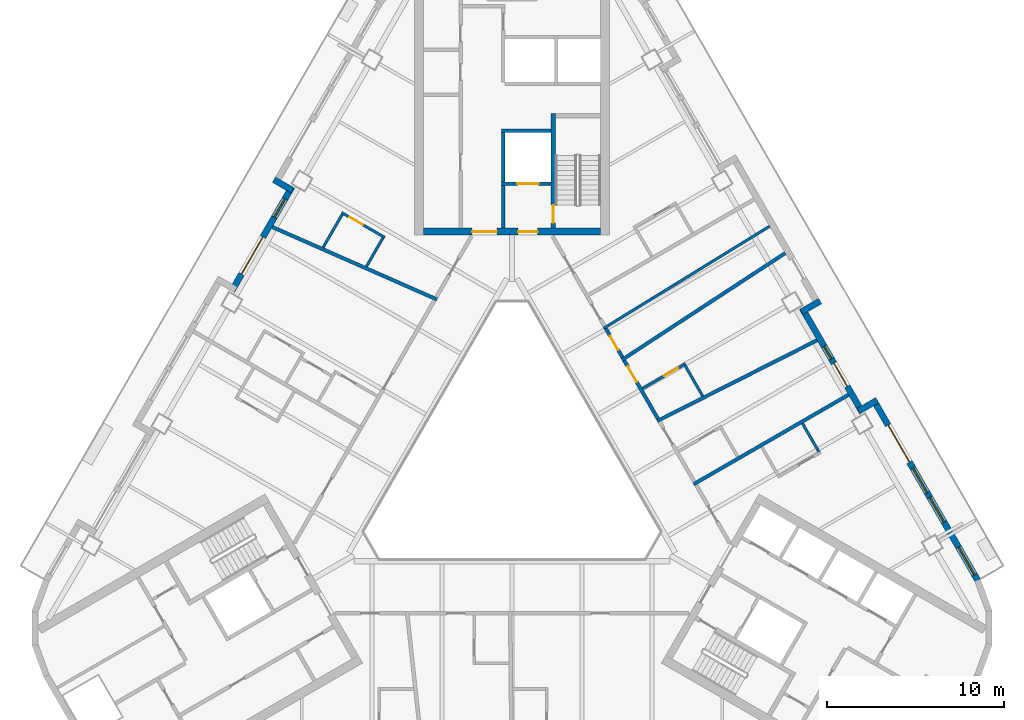
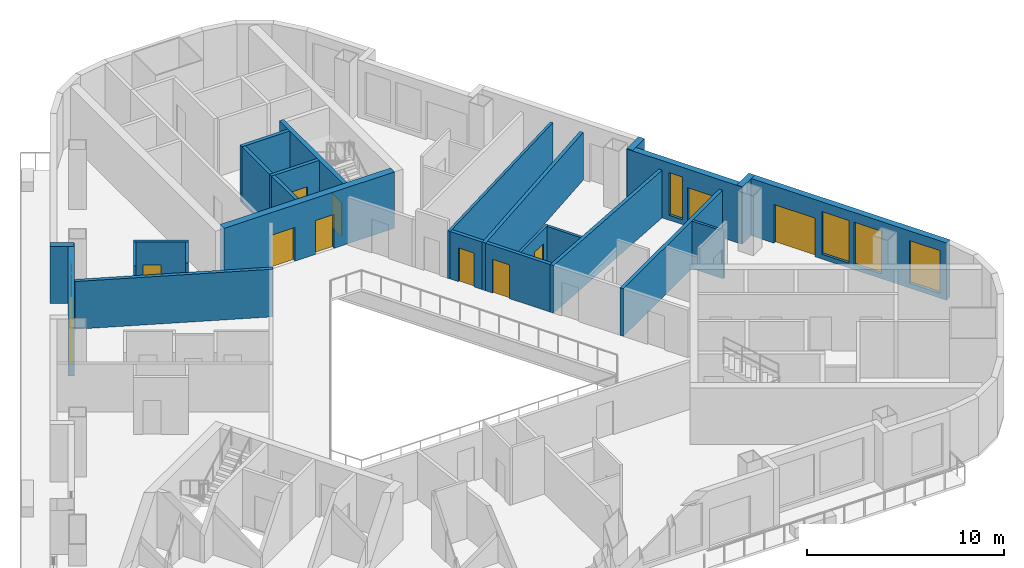
# One storey, part 6 of 14: 25 walls, 11 doors, 5 windows, 16 openings.
"""IFC4 building model written with IfcOpenShell, lengths in metres."""

from ifc_helpers import new_model, si_unit, direction, frame, frame_2d, origin, place, context, subcontext, project, spatial, rectangle, extrude, material, layer, layer_set, type_object, element, fill, save


model = new_model("IFC4")

# Units and contexts
model_context = context("Model", 3, precision=1e-05, world=origin(), true_north=direction((0.0, 1.0)))
body_context = subcontext(model_context, "Body", "Model", "MODEL_VIEW")
ifc_project = project(units=[si_unit("LENGTHUNIT", "METRE"), si_unit("AREAUNIT", "SQUARE_METRE"), si_unit("VOLUMEUNIT", "CUBIC_METRE"), si_unit("PLANEANGLEUNIT", "RADIAN"), si_unit("MASSUNIT", "GRAM", prefix="KILO")], contexts=[model_context])

# Site, building, storey
site_placement = place(None, origin())
site = spatial("IfcSite", under=ifc_project, at=site_placement, CompositionType="ELEMENT")
building_placement = place(site_placement, origin())
building = spatial("IfcBuilding", under=site, at=building_placement, Name="Apuvela Tower Hotel", CompositionType="ELEMENT")
storey_placement = place(building_placement, frame((0.0, 0.0, 116.800048828125)))
storey = spatial("IfcBuildingStorey", under=building, at=storey_placement, Name="L27", CompositionType="ELEMENT", Elevation=116.800048828125)

# Wall, openings, doors
ifc_material_1 = material(Name="Concrete C50/60", Category="concrete")
ifc_layer_1 = layer(ifc_material_1, 0.39990234375)
ifc_layer_set_1 = layer_set([ifc_layer_1], Name="COR-WALL-CORE-400")
wall_type_1 = type_object("IfcWallType", Name="COR-WALL-CORE-400", PredefinedType="SHEAR", material=ifc_layer_set_1)
wall_1_placement = place(storey_placement, frame((5.0, 13.10009765625, 0.0), z_axis=(0.0, 0.0, 1.0), x_axis=(-1.0, 0.0, 0.0)))
wall_1 = element("IfcWall", 1, at=wall_1_placement, inside=storey, type_object=wall_type_1, Name="Core wall N", PredefinedType="SHEAR", context=body_context, shape_type="SweptSolid", body=[
    extrude(rectangle(XDim=10.0, YDim=0.39990234375, at=frame_2d((5.0, 0.0))), origin(), (0.0, 0.0, 1.0), 3.5),
])
opening_1_placement = place(wall_1_placement, frame((3.550048828125, 0.0, 0.0)))
opening_1 = element("IfcOpeningElement", 2, at=opening_1_placement, cuts=wall_1, Name="Opening N-FD", PredefinedType="OPENING", context=body_context, shape_type="SweptSolid", body=[
    extrude(rectangle(XDim=1.10009765625, YDim=2.10009765625, at=frame_2d((0.550048828125, 1.050048828125))), frame((0.0, 0.2099609375, 0.0), z_axis=(0.0, -1.0, 0.0), x_axis=(1.0, 0.0, 0.0)), (0.0, 0.0, 1.0), 0.419921875),
])
opening_2_placement = place(wall_1_placement, frame((5.85009765625, 0.0, 0.0)))
opening_2 = element("IfcOpeningElement", 3, at=opening_2_placement, cuts=wall_1, Name="Opening N-GD", PredefinedType="OPENING", context=body_context, shape_type="SweptSolid", body=[
    extrude(rectangle(XDim=1.39990234375, YDim=2.10009765625, at=frame_2d((0.699951171875, 1.050048828125))), frame((0.0, 0.2099609375, 0.0), z_axis=(0.0, -1.0, 0.0), x_axis=(1.0, 0.0, 0.0)), (0.0, 0.0, 1.0), 0.419921875),
])
ifc_material_2 = material(Name="Steel fire door, powder coated", Category="steel")
door_type_1 = type_object("IfcDoorType", Name="COR-FD-1100", OperationType="NOTDEFINED", PredefinedType="DOOR", material=ifc_material_2)
door_1_placement = place(opening_1_placement, frame((1.10009765625, 0.0, 0.0), z_axis=(0.0, 0.0, 1.0), x_axis=(-1.0, 0.0, 0.0)))
door_1 = element("IfcDoor", 4, at=door_1_placement, inside=storey, type_object=door_type_1, Name="Firefighting lobby door N-FD", OperationType="SINGLE_SWING_LEFT", OverallHeight=2.10009765625, OverallWidth=1.10009765625, PredefinedType="DOOR", context=body_context, shape_type="SweptSolid", body=[
    extrude(rectangle(XDim=1.10009765625, YDim=2.10009765625, at=frame_2d((0.550048828125, 1.050048828125))), frame((0.0, 0.02490234375, 0.0), z_axis=(0.0, -1.0, 0.0), x_axis=(1.0, 0.0, 0.0)), (0.0, 0.0, 1.0), 0.050048828125),
])
fill(opening_1, door_1)
ifc_material_3 = material(Name="Glazed steel fire door", Category="steel")
door_type_2 = type_object("IfcDoorType", Name="COR-GD-1400", OperationType="DOUBLE_DOOR_SINGLE_SWING", PredefinedType="DOOR", material=ifc_material_3)
door_2_placement = place(opening_2_placement, frame((1.39990234375, 0.0, 0.0), z_axis=(0.0, 0.0, 1.0), x_axis=(-1.0, 0.0, 0.0)))
door_2 = element("IfcDoor", 5, at=door_2_placement, inside=storey, type_object=door_type_2, Name="Lift lobby door N-GD", OperationType="DOUBLE_DOOR_SINGLE_SWING", OverallHeight=2.10009765625, OverallWidth=1.39990234375, PredefinedType="DOOR", context=body_context, shape_type="SweptSolid", body=[
    extrude(rectangle(XDim=1.39990234375, YDim=2.10009765625, at=frame_2d((0.699951171875, 1.050048828125))), frame((0.0, 0.02490234375, 0.0), z_axis=(0.0, -1.0, 0.0), x_axis=(1.0, 0.0, 0.0)), (0.0, 0.0, 1.0), 0.050048828125),
])
fill(opening_2, door_2)

# Wall
ifc_layer_2 = layer(ifc_material_1, 0.199951171875)
ifc_layer_set_2 = layer_set([ifc_layer_2], Name="COR-WALL-SHAFT-200")
wall_type_2 = type_object("IfcWallType", Name="COR-WALL-SHAFT-200", PredefinedType="SHEAR", material=ifc_layer_set_2)
wall_2_placement = place(storey_placement, frame((2.199951171875, 18.800048828125, 0.0), z_axis=(0.0, 0.0, 1.0), x_axis=(-1.0, 0.0, 0.0)))
element("IfcWall", 6, at=wall_2_placement, inside=storey, type_object=wall_type_2, Name="Shaft wall N", PredefinedType="SHEAR", context=body_context, shape_type="SweptSolid", body=[
    extrude(rectangle(XDim=2.800048828125, YDim=0.199951171875, at=frame_2d((1.39990234375, 0.0))), origin(), (0.0, 0.0, 1.0), 3.5),
])

# Wall, opening, door
wall_3_placement = place(storey_placement, frame((2.199951171875, 15.800048828125, 0.0), z_axis=(0.0, 0.0, 1.0), x_axis=(-1.0, 0.0, 0.0)))
wall_3 = element("IfcWall", 7, at=wall_3_placement, inside=storey, type_object=wall_type_2, Name="Shaft wall N", PredefinedType="SHEAR", context=body_context, shape_type="SweptSolid", body=[
    extrude(rectangle(XDim=2.800048828125, YDim=0.199951171875, at=frame_2d((1.39990234375, 0.0))), origin(), (0.0, 0.0, 1.0), 3.5),
])
opening_3_placement = place(wall_3_placement, frame((0.699951171875, 0.0, 0.0)))
opening_3 = element("IfcOpeningElement", 8, at=opening_3_placement, cuts=wall_3, Name="Opening N-LD-FS1", PredefinedType="OPENING", context=body_context, shape_type="SweptSolid", body=[
    extrude(rectangle(XDim=1.199951171875, YDim=2.10009765625, at=frame_2d((0.60009765625, 1.050048828125))), frame((0.0, 0.10986328125, 0.0), z_axis=(0.0, -1.0, 0.0), x_axis=(1.0, 0.0, 0.0)), (0.0, 0.0, 1.0), 0.219970703125),
])
ifc_material_4 = material(Name="Stainless steel lift landing door", Category="steel")
door_type_3 = type_object("IfcDoorType", Name="COR-LD-1200", OperationType="DOUBLE_DOOR_SLIDING", PredefinedType="DOOR", material=ifc_material_4)
door_3_placement = place(opening_3_placement, origin())
door_3 = element("IfcDoor", 9, at=door_3_placement, inside=storey, type_object=door_type_3, Name="Lift landing door N-LD-FS1", OperationType="DOUBLE_DOOR_SLIDING", OverallHeight=2.10009765625, OverallWidth=1.199951171875, PredefinedType="DOOR", context=body_context, shape_type="SweptSolid", body=[
    extrude(rectangle(XDim=1.199951171875, YDim=2.10009765625, at=frame_2d((0.60009765625, 1.050048828125))), frame((0.0, 0.02490234375, 0.0), z_axis=(0.0, -1.0, 0.0), x_axis=(1.0, 0.0, 0.0)), (0.0, 0.0, 1.0), 0.050048828125),
])
fill(opening_3, door_3)

# Walls
wall_4_placement = place(storey_placement, frame((-0.5, 15.89990234375, 0.0), z_axis=(0.0, 0.0, 1.0), x_axis=(0.0, 1.0, 0.0)))
element("IfcWall", 10, at=wall_4_placement, inside=storey, type_object=wall_type_2, Name="Shaft wall N", PredefinedType="SHEAR", context=body_context, shape_type="SweptSolid", body=[
    extrude(rectangle(XDim=2.800048828125, YDim=0.199951171875, at=frame_2d((1.39990234375, 0.0))), origin(), (0.0, 0.0, 1.0), 3.5),
])
wall_5_placement = place(storey_placement, frame((-0.5, 13.300048828125, 0.0), z_axis=(0.0, 0.0, 1.0), x_axis=(0.0, 1.0, 0.0)))
element("IfcWall", 11, at=wall_5_placement, inside=storey, type_object=wall_type_2, Name="Shaft wall N", PredefinedType="SHEAR", context=body_context, shape_type="SweptSolid", body=[
    extrude(rectangle(XDim=2.39990234375, YDim=0.199951171875, at=frame_2d((1.199951171875, 0.0))), origin(), (0.0, 0.0, 1.0), 3.5),
])

# Wall, opening, door
ifc_layer_3 = layer(ifc_material_1, 0.25)
ifc_layer_set_3 = layer_set([ifc_layer_3], Name="COR-WALL-STAIR-250")
wall_type_3 = type_object("IfcWallType", Name="COR-WALL-STAIR-250", PredefinedType="SHEAR", material=ifc_layer_set_3)
wall_6_placement = place(storey_placement, frame((2.324951171875, 13.300048828125, 0.0), z_axis=(0.0, 0.0, 1.0), x_axis=(0.0, 1.0, 0.0)))
wall_6 = element("IfcWall", 12, at=wall_6_placement, inside=storey, type_object=wall_type_3, Name="Stair wall N", PredefinedType="SHEAR", context=body_context, shape_type="SweptSolid", body=[
    extrude(rectangle(XDim=6.449951171875, YDim=0.25, at=frame_2d((3.22509765625, 0.0))), origin(), (0.0, 0.0, 1.0), 3.5),
])
opening_4_placement = place(wall_6_placement, frame((0.300048828125, 0.0, 0.0)))
opening_4 = element("IfcOpeningElement", 13, at=opening_4_placement, cuts=wall_6, Name="Opening N-SD", PredefinedType="OPENING", context=body_context, shape_type="SweptSolid", body=[
    extrude(rectangle(XDim=1.0, YDim=2.10009765625, at=frame_2d((0.5, 1.050048828125))), frame((0.0, 0.135009765625, 0.0), z_axis=(0.0, -1.0, 0.0), x_axis=(1.0, 0.0, 0.0)), (0.0, 0.0, 1.0), 0.27001953125),
])
door_type_4 = type_object("IfcDoorType", Name="COR-SD-1000", OperationType="NOTDEFINED", PredefinedType="DOOR", material=ifc_material_2)
door_4_placement = place(opening_4_placement, frame((1.0, 0.0, 0.0), z_axis=(0.0, 0.0, 1.0), x_axis=(-1.0, 0.0, 0.0)))
door_4 = element("IfcDoor", 14, at=door_4_placement, inside=storey, type_object=door_type_4, Name="Stair door N-SD", OperationType="SINGLE_SWING_LEFT", OverallHeight=2.10009765625, OverallWidth=1.0, PredefinedType="DOOR", context=body_context, shape_type="SweptSolid", body=[
    extrude(rectangle(XDim=1.0, YDim=2.10009765625, at=frame_2d((0.5, 1.050048828125))), frame((0.0, 0.02490234375, 0.0), z_axis=(0.0, -1.0, 0.0), x_axis=(1.0, 0.0, 0.0)), (0.0, 0.0, 1.0), 0.050048828125),
])
fill(opening_4, door_4)

# Wall
ifc_material_5 = material(Name="Concrete C40/50, dark pigmented precast panel", Category="concrete")
ifc_layer_4 = layer(ifc_material_5, 0.35009765625)
ifc_layer_set_4 = layer_set([ifc_layer_4], Name="ENV-WALL-350")
wall_type_4 = type_object("IfcWallType", Name="ENV-WALL-350", PredefinedType="SOLIDWALL", material=ifc_layer_set_4)
wall_7_placement = place(storey_placement, frame((-13.41259765625, 16.02880859375, 0.0), z_axis=(0.0, 0.0, 1.0), x_axis=(0.866005645448, -0.500034220881, 0.0)))
element("IfcWall", 15, at=wall_7_placement, inside=storey, type_object=wall_type_4, Name="External wall L27-02", PredefinedType="SOLIDWALL", context=body_context, shape_type="SweptSolid", body=[
    extrude(rectangle(XDim=1.22021484375, YDim=0.35009765625, at=frame_2d((0.610107421875, 0.0))), origin(), (0.0, 0.0, 1.0), 3.550048828125),
])

# Wall, openings, door, window
wall_8_placement = place(storey_placement, frame((-12.408935546875, 15.616943359375, 0.0), z_axis=(0.0, 0.0, 1.0), x_axis=(-0.500003597184, -0.866023326939, 0.0)))
wall_8 = element("IfcWall", 16, at=wall_8_placement, inside=storey, type_object=wall_type_4, Name="External wall L27-03", PredefinedType="SOLIDWALL", context=body_context, shape_type="SweptSolid", body=[
    extrude(rectangle(XDim=6.740234375, YDim=0.35009765625, at=frame_2d((3.3701171875, 0.0))), origin(), (0.0, 0.0, 1.0), 3.550048828125),
])
opening_5_placement = place(wall_8_placement, frame((0.77001953125, 0.0, 0.300048828125)))
opening_5 = element("IfcOpeningElement", 17, at=opening_5_placement, cuts=wall_8, Name="Opening WN12", PredefinedType="OPENING", context=body_context, shape_type="SweptSolid", body=[
    extrude(rectangle(XDim=1.199951171875, YDim=2.64990234375, at=frame_2d((0.60009765625, 1.324951171875))), frame((0.0, 0.18505859375, 0.0), z_axis=(0.0, -1.0, 0.0), x_axis=(1.0, 0.0, 0.0)), (0.0, 0.0, 1.0), 0.3701171875),
])
opening_6_placement = place(wall_8_placement, frame((3.260498046875, 0.0, 0.0)))
opening_6 = element("IfcOpeningElement", 18, at=opening_6_placement, cuts=wall_8, Name="Opening BD24", PredefinedType="OPENING", context=body_context, shape_type="SweptSolid", body=[
    extrude(rectangle(XDim=2.39990234375, YDim=2.39990234375, at=frame_2d((1.199951171875, 1.199951171875))), frame((0.0, 0.18505859375, 0.0), z_axis=(0.0, -1.0, 0.0), x_axis=(1.0, 0.0, 0.0)), (0.0, 0.0, 1.0), 0.3701171875),
])
ifc_material_6 = material(Name="Aluminium 6063-T6, dark bronze anodised frame with dark tinted laminated glass", Category="aluminium")
door_type_5 = type_object("IfcDoorType", Name="ENV-DOOR-BALCONY-2400x2400", OperationType="SLIDING_TO_LEFT", PredefinedType="DOOR", material=ifc_material_6)
door_5_placement = place(opening_6_placement, frame((2.39990234375, 0.0, 0.0), z_axis=(0.0, 0.0, 1.0), x_axis=(-1.0, 0.0, 0.0)))
door_5 = element("IfcDoor", 19, at=door_5_placement, inside=storey, type_object=door_type_5, Name="Balcony door BD24", OperationType="SLIDING_TO_LEFT", OverallHeight=2.39990234375, OverallWidth=2.39990234375, PredefinedType="DOOR", context=body_context, shape_type="SweptSolid", body=[
    extrude(rectangle(XDim=2.39990234375, YDim=2.39990234375, at=frame_2d((1.199951171875, 1.199951171875))), frame((0.0, 0.02490234375, 0.0), z_axis=(0.0, -1.0, 0.0), x_axis=(1.0, 0.0, 0.0)), (0.0, 0.0, 1.0), 0.050048828125),
])
fill(opening_6, door_5)
ifc_material_7 = material(Name="Glass, dark tinted laminated insulated glazing unit", Category="glass")
window_type_1 = type_object("IfcWindowType", Name="ENV-WIN-1200x2650", PartitioningType="SINGLE_PANEL", PredefinedType="WINDOW", material=ifc_material_7)
window_1_placement = place(opening_5_placement, origin())
window_1 = element("IfcWindow", 20, at=window_1_placement, inside=storey, type_object=window_type_1, Name="Window WN12", OverallHeight=2.64990234375, OverallWidth=1.199951171875, PartitioningType="SINGLE_PANEL", PredefinedType="WINDOW", context=body_context, shape_type="SweptSolid", body=[
    extrude(rectangle(XDim=1.199951171875, YDim=2.64990234375, at=frame_2d((0.60009765625, 1.324951171875))), frame((0.0, 0.030029296875, 0.0), z_axis=(0.0, -1.0, 0.0), x_axis=(1.0, 0.0, 0.0)), (0.0, 0.0, 1.0), 0.06005859375),
])
fill(opening_5, window_1)

# Wall, openings, door, windows
wall_9_placement = place(storey_placement, frame((26.256591796875, -6.5673828125, 0.0), z_axis=(0.0, 0.0, 1.0), x_axis=(-0.500023526245, 0.866011820475, 0.0)))
wall_9 = element("IfcWall", 21, at=wall_9_placement, inside=storey, type_object=wall_type_4, Name="External wall L27-33", PredefinedType="SOLIDWALL", context=body_context, shape_type="SweptSolid", body=[
    extrude(rectangle(XDim=11.81591796875, YDim=0.35009765625, at=frame_2d((5.907958984375, 0.0))), origin(), (0.0, 0.0, 1.0), 3.550048828125),
])
opening_7_placement = place(wall_9_placement, frame((0.380126953125, 0.0, 0.300048828125)))
opening_7 = element("IfcOpeningElement", 22, at=opening_7_placement, cuts=wall_9, Name="Opening WN18", PredefinedType="OPENING", context=body_context, shape_type="SweptSolid", body=[
    extrude(rectangle(XDim=1.800048828125, YDim=2.64990234375, at=frame_2d((0.89990234375, 1.324951171875))), frame((0.0, 0.18505859375, 0.0), z_axis=(0.0, -1.0, 0.0), x_axis=(1.0, 0.0, 0.0)), (0.0, 0.0, 1.0), 0.3701171875),
])
opening_8_placement = place(wall_9_placement, frame((7.71630859375, 0.0, 0.0)))
opening_8 = element("IfcOpeningElement", 23, at=opening_8_placement, cuts=wall_9, Name="Opening BD24", PredefinedType="OPENING", context=body_context, shape_type="SweptSolid", body=[
    extrude(rectangle(XDim=2.39990234375, YDim=2.39990234375, at=frame_2d((1.199951171875, 1.199951171875))), frame((0.0, 0.18505859375, 0.0), z_axis=(0.0, -1.0, 0.0), x_axis=(1.0, 0.0, 0.0)), (0.0, 0.0, 1.0), 0.3701171875),
])
opening_9_placement = place(wall_9_placement, frame((3.81591796875, 0.0, 0.300048828125)))
opening_9 = element("IfcOpeningElement", 24, at=opening_9_placement, cuts=wall_9, Name="Opening WN16", PredefinedType="OPENING", context=body_context, shape_type="SweptSolid", body=[
    extrude(rectangle(XDim=1.60009765625, YDim=2.64990234375, at=frame_2d((0.800048828125, 1.324951171875))), frame((0.0, 0.18505859375, 0.0), z_axis=(0.0, -1.0, 0.0), x_axis=(1.0, 0.0, 0.0)), (0.0, 0.0, 1.0), 0.3701171875),
])
opening_10_placement = place(wall_9_placement, frame((5.7158203125, 0.0, 0.300048828125)))
opening_10 = element("IfcOpeningElement", 25, at=opening_10_placement, cuts=wall_9, Name="Opening WN16", PredefinedType="OPENING", context=body_context, shape_type="SweptSolid", body=[
    extrude(rectangle(XDim=1.60009765625, YDim=2.64990234375, at=frame_2d((0.800048828125, 1.324951171875))), frame((0.0, 0.18505859375, 0.0), z_axis=(0.0, -1.0, 0.0), x_axis=(1.0, 0.0, 0.0)), (0.0, 0.0, 1.0), 0.3701171875),
])
door_6_placement = place(opening_8_placement, frame((2.39990234375, 0.0, 0.0), z_axis=(0.0, 0.0, 1.0), x_axis=(-1.0, 0.0, 0.0)))
door_6 = element("IfcDoor", 26, at=door_6_placement, inside=storey, type_object=door_type_5, Name="Balcony door BD24", OperationType="SLIDING_TO_LEFT", OverallHeight=2.39990234375, OverallWidth=2.39990234375, PredefinedType="DOOR", context=body_context, shape_type="SweptSolid", body=[
    extrude(rectangle(XDim=2.39990234375, YDim=2.39990234375, at=frame_2d((1.199951171875, 1.199951171875))), frame((0.0, 0.02490234375, 0.0), z_axis=(0.0, -1.0, 0.0), x_axis=(1.0, 0.0, 0.0)), (0.0, 0.0, 1.0), 0.050048828125),
])
fill(opening_8, door_6)
window_type_2 = type_object("IfcWindowType", Name="ENV-WIN-1600x2650", PartitioningType="SINGLE_PANEL", PredefinedType="WINDOW", material=ifc_material_7)
window_2_placement = place(opening_9_placement, origin())
window_2 = element("IfcWindow", 27, at=window_2_placement, inside=storey, type_object=window_type_2, Name="Window WN16", OverallHeight=2.64990234375, OverallWidth=1.60009765625, PartitioningType="SINGLE_PANEL", PredefinedType="WINDOW", context=body_context, shape_type="SweptSolid", body=[
    extrude(rectangle(XDim=1.60009765625, YDim=2.64990234375, at=frame_2d((0.800048828125, 1.324951171875))), frame((0.0, 0.030029296875, 0.0), z_axis=(0.0, -1.0, 0.0), x_axis=(1.0, 0.0, 0.0)), (0.0, 0.0, 1.0), 0.06005859375),
])
fill(opening_9, window_2)
window_3_placement = place(opening_10_placement, origin())
window_3 = element("IfcWindow", 28, at=window_3_placement, inside=storey, type_object=window_type_2, Name="Window WN16", OverallHeight=2.64990234375, OverallWidth=1.60009765625, PartitioningType="SINGLE_PANEL", PredefinedType="WINDOW", context=body_context, shape_type="SweptSolid", body=[
    extrude(rectangle(XDim=1.60009765625, YDim=2.64990234375, at=frame_2d((0.800048828125, 1.324951171875))), frame((0.0, 0.030029296875, 0.0), z_axis=(0.0, -1.0, 0.0), x_axis=(1.0, 0.0, 0.0)), (0.0, 0.0, 1.0), 0.06005859375),
])
fill(opening_10, window_3)
window_type_3 = type_object("IfcWindowType", Name="ENV-WIN-1800x2650", PartitioningType="SINGLE_PANEL", PredefinedType="WINDOW", material=ifc_material_7)
window_4_placement = place(opening_7_placement, origin())
window_4 = element("IfcWindow", 29, at=window_4_placement, inside=storey, type_object=window_type_3, Name="Window WN18", OverallHeight=2.64990234375, OverallWidth=1.800048828125, PartitioningType="SINGLE_PANEL", PredefinedType="WINDOW", context=body_context, shape_type="SweptSolid", body=[
    extrude(rectangle(XDim=1.800048828125, YDim=2.64990234375, at=frame_2d((0.89990234375, 1.324951171875))), frame((0.0, 0.030029296875, 0.0), z_axis=(0.0, -1.0, 0.0), x_axis=(1.0, 0.0, 0.0)), (0.0, 0.0, 1.0), 0.06005859375),
])
fill(opening_7, window_4)

# Wall
wall_10_placement = place(storey_placement, frame((20.587646484375, 3.601318359375, 0.0), z_axis=(0.0, 0.0, 1.0), x_axis=(-0.866005645448, -0.500034220881, 0.0)))
element("IfcWall", 30, at=wall_10_placement, inside=storey, type_object=wall_type_4, Name="External wall L27-34", PredefinedType="SOLIDWALL", context=body_context, shape_type="SweptSolid", body=[
    extrude(rectangle(XDim=1.22021484375, YDim=0.35009765625, at=frame_2d((0.610107421875, 0.0))), origin(), (0.0, 0.0, 1.0), 3.550048828125),
])

# Wall, openings, door, window
wall_11_placement = place(storey_placement, frame((19.72900390625, 2.93798828125, 0.0), z_axis=(0.0, 0.0, 1.0), x_axis=(-0.499976430342, 0.866039011305, 0.0)))
wall_11 = element("IfcWall", 31, at=wall_11_placement, inside=storey, type_object=wall_type_4, Name="External wall L27-35", PredefinedType="SOLIDWALL", context=body_context, shape_type="SweptSolid", body=[
    extrude(rectangle(XDim=6.739990234375, YDim=0.35009765625, at=frame_2d((3.3701171875, 0.0))), origin(), (0.0, 0.0, 1.0), 3.550048828125),
])
opening_11_placement = place(wall_11_placement, frame((1.670166015625, 0.0, 0.0)))
opening_11 = element("IfcOpeningElement", 32, at=opening_11_placement, cuts=wall_11, Name="Opening BD15", PredefinedType="OPENING", context=body_context, shape_type="SweptSolid", body=[
    extrude(rectangle(XDim=1.5, YDim=2.39990234375, at=frame_2d((0.75, 1.199951171875))), frame((0.0, 0.18505859375, 0.0), z_axis=(0.0, -1.0, 0.0), x_axis=(1.0, 0.0, 0.0)), (0.0, 0.0, 1.0), 0.3701171875),
])
opening_12_placement = place(wall_11_placement, frame((3.47021484375, 0.0, 0.300048828125)))
opening_12 = element("IfcOpeningElement", 33, at=opening_12_placement, cuts=wall_11, Name="Opening WN08", PredefinedType="OPENING", context=body_context, shape_type="SweptSolid", body=[
    extrude(rectangle(XDim=0.800048828125, YDim=2.64990234375, at=frame_2d((0.39990234375, 1.324951171875))), frame((0.0, 0.18505859375, 0.0), z_axis=(0.0, -1.0, 0.0), x_axis=(1.0, 0.0, 0.0)), (0.0, 0.0, 1.0), 0.3701171875),
])
door_type_6 = type_object("IfcDoorType", Name="ENV-DOOR-BALCONY-1500x2400", OperationType="SLIDING_TO_LEFT", PredefinedType="DOOR", material=ifc_material_6)
door_7_placement = place(opening_11_placement, frame((1.5, 0.0, 0.0), z_axis=(0.0, 0.0, 1.0), x_axis=(-1.0, 0.0, 0.0)))
door_7 = element("IfcDoor", 34, at=door_7_placement, inside=storey, type_object=door_type_6, Name="Balcony door BD15", OperationType="SLIDING_TO_LEFT", OverallHeight=2.39990234375, OverallWidth=1.5, PredefinedType="DOOR", context=body_context, shape_type="SweptSolid", body=[
    extrude(rectangle(XDim=1.5, YDim=2.39990234375, at=frame_2d((0.75, 1.199951171875))), frame((0.0, 0.02490234375, 0.0), z_axis=(0.0, -1.0, 0.0), x_axis=(1.0, 0.0, 0.0)), (0.0, 0.0, 1.0), 0.050048828125),
])
fill(opening_11, door_7)
window_type_4 = type_object("IfcWindowType", Name="ENV-WIN-800x2650", PartitioningType="SINGLE_PANEL", PredefinedType="WINDOW", material=ifc_material_7)
window_5_placement = place(opening_12_placement, origin())
window_5 = element("IfcWindow", 35, at=window_5_placement, inside=storey, type_object=window_type_4, Name="Window WN08", OverallHeight=2.64990234375, OverallWidth=0.800048828125, PartitioningType="SINGLE_PANEL", PredefinedType="WINDOW", context=body_context, shape_type="SweptSolid", body=[
    extrude(rectangle(XDim=0.800048828125, YDim=2.64990234375, at=frame_2d((0.39990234375, 1.324951171875))), frame((0.0, 0.030029296875, 0.0), z_axis=(0.0, -1.0, 0.0), x_axis=(1.0, 0.0, 0.0)), (0.0, 0.0, 1.0), 0.06005859375),
])
fill(opening_12, window_5)

# Walls
wall_12_placement = place(storey_placement, frame((16.305908203125, 8.5771484375, 0.0), z_axis=(0.0, 0.0, 1.0), x_axis=(0.866092288191, 0.499884134912, 0.0)))
element("IfcWall", 36, at=wall_12_placement, inside=storey, type_object=wall_type_4, Name="External wall L27-36", PredefinedType="SOLIDWALL", context=body_context, shape_type="SweptSolid", body=[
    extrude(rectangle(XDim=1.219970703125, YDim=0.35009765625, at=frame_2d((0.60986328125, 0.0))), origin(), (0.0, 0.0, 1.0), 3.550048828125),
])
ifc_material_8 = material(Name="Gypsum board partition on twin steel stud", Category="steel")
ifc_layer_5 = layer(ifc_material_8, 0.199951171875)
ifc_layer_set_5 = layer_set([ifc_layer_5], Name="GST-PW1")
wall_type_5 = type_object("IfcWallType", Name="GST-PW1", PredefinedType="PARTITIONING", material=ifc_layer_set_5)
wall_13_placement = place(storey_placement, frame((18.967529296875, 3.9072265625, 0.0), z_axis=(0.0, 0.0, 1.0), x_axis=(-0.866022637375, -0.500004791531, 0.0)))
element("IfcWall", 37, at=wall_13_placement, inside=storey, type_object=wall_type_5, Name="L27 partition 03", PredefinedType="PARTITIONING", context=body_context, shape_type="SweptSolid", body=[
    extrude(rectangle(XDim=10.080078125, YDim=0.199951171875, at=frame_2d((5.0400390625, 0.0))), origin(), (0.0, 0.0, 1.0), 2.9599609375),
])
wall_14_placement = place(storey_placement, frame((17.1923828125, 6.981689453125, 0.0), z_axis=(0.0, 0.0, 1.0), x_axis=(-0.892469554868, -0.451107629766, 0.0)))
element("IfcWall", 38, at=wall_14_placement, inside=storey, type_object=wall_type_5, Name="L27 partition 04", PredefinedType="PARTITIONING", context=body_context, shape_type="SweptSolid", body=[
    extrude(rectangle(XDim=10.095703125, YDim=0.199951171875, at=frame_2d((5.0478515625, 0.0))), origin(), (0.0, 0.0, 1.0), 2.9599609375),
])
wall_15_placement = place(storey_placement, frame((15.39697265625, 11.8916015625, 0.0), z_axis=(0.0, 0.0, 1.0), x_axis=(-0.836898817878, -0.547357624076, 0.0)))
element("IfcWall", 39, at=wall_15_placement, inside=storey, type_object=wall_type_5, Name="L27 partition 05", PredefinedType="PARTITIONING", context=body_context, shape_type="SweptSolid", body=[
    extrude(rectangle(XDim=10.9970703125, YDim=0.199951171875, at=frame_2d((5.49853515625, 0.0))), origin(), (0.0, 0.0, 1.0), 2.9599609375),
])
wall_16_placement = place(storey_placement, frame((-13.50830078125, 13.36279296875, 0.0), z_axis=(0.0, 0.0, 1.0), x_axis=(0.915297635711, -0.402778149932, 0.0)))
element("IfcWall", 40, at=wall_16_placement, inside=storey, type_object=wall_type_5, Name="L27 partition 07", PredefinedType="PARTITIONING", context=body_context, shape_type="SweptSolid", body=[
    extrude(rectangle(XDim=10.14013671875, YDim=0.199951171875, at=frame_2d((5.070068359375, 0.0))), origin(), (0.0, 0.0, 1.0), 2.9599609375),
])

# Wall, opening, door
ifc_material_9 = material(Name="Gypsum board corridor wall on twin steel stud, acoustic", Category="steel")
ifc_layer_6 = layer(ifc_material_9, 0.199951171875)
ifc_layer_set_6 = layer_set([ifc_layer_6], Name="GST-PW2")
wall_type_6 = type_object("IfcWallType", Name="GST-PW2", PredefinedType="PARTITIONING", material=ifc_layer_set_6)
wall_17_placement = place(storey_placement, frame((6.327392578125, 5.840576171875, 0.0), z_axis=(0.0, 0.0, 1.0), x_axis=(0.499999503755, -0.866025690291, 0.0)))
wall_17 = element("IfcWall", 41, at=wall_17_placement, inside=storey, type_object=wall_type_6, Name="L27 partition 27", PredefinedType="PARTITIONING", context=body_context, shape_type="SweptSolid", body=[
    extrude(rectangle(XDim=3.78857421875, YDim=0.199951171875, at=frame_2d((1.894287109375, 0.0))), origin(), (0.0, 0.0, 1.0), 2.949951171875),
])
opening_13_placement = place(wall_17_placement, frame((0.40283203125, 0.0, 0.0)))
opening_13 = element("IfcOpeningElement", 42, at=opening_13_placement, cuts=wall_17, Name="Opening GD10-12", PredefinedType="OPENING", context=body_context, shape_type="SweptSolid", body=[
    extrude(rectangle(XDim=1.0, YDim=2.10009765625, at=frame_2d((0.5, 1.050048828125))), frame((0.0, 0.10986328125, 0.0), z_axis=(0.0, -1.0, 0.0), x_axis=(1.0, 0.0, 0.0)), (0.0, 0.0, 1.0), 0.219970703125),
])
ifc_material_10 = material(Name="Timber door leaf in steel frame", Category="steel")
door_type_7 = type_object("IfcDoorType", Name="GST-D1", OperationType="NOTDEFINED", PredefinedType="DOOR", material=ifc_material_10)
door_8_placement = place(opening_13_placement, origin())
door_8 = element("IfcDoor", 43, at=door_8_placement, inside=storey, type_object=door_type_7, Name="Door L27-12", OperationType="SINGLE_SWING_LEFT", OverallHeight=2.10009765625, OverallWidth=1.0, PredefinedType="DOOR", context=body_context, shape_type="SweptSolid", body=[
    extrude(rectangle(XDim=1.0, YDim=2.10009765625, at=frame_2d((0.5, 1.050048828125))), frame((0.0, 0.02490234375, 0.0), z_axis=(0.0, -1.0, 0.0), x_axis=(1.0, 0.0, 0.0)), (0.0, 0.0, 1.0), 0.050048828125),
])
fill(opening_13, door_8)

wall_18_placement = place(storey_placement, frame((5.28857421875, 7.639892578125, 0.0), z_axis=(0.0, 0.0, 1.0), x_axis=(0.499985098601, -0.86603400694, 0.0)))
wall_18 = element("IfcWall", 44, at=wall_18_placement, inside=storey, type_object=wall_type_6, Name="L27 partition 31", PredefinedType="PARTITIONING", context=body_context, shape_type="SweptSolid", body=[
    extrude(rectangle(XDim=1.87744140625, YDim=0.199951171875, at=frame_2d((0.938720703125, 0.0))), origin(), (0.0, 0.0, 1.0), 2.949951171875),
])
opening_14_placement = place(wall_18_placement, frame((0.48876953125, 0.0, 0.0)))
opening_14 = element("IfcOpeningElement", 45, at=opening_14_placement, cuts=wall_18, Name="Opening GD10-13", PredefinedType="OPENING", context=body_context, shape_type="SweptSolid", body=[
    extrude(rectangle(XDim=0.89990234375, YDim=2.10009765625, at=frame_2d((0.449951171875, 1.050048828125))), frame((0.0, 0.10986328125, 0.0), z_axis=(0.0, -1.0, 0.0), x_axis=(1.0, 0.0, 0.0)), (0.0, 0.0, 1.0), 0.219970703125),
])
door_type_8 = type_object("IfcDoorType", Name="GST-D2", OperationType="NOTDEFINED", PredefinedType="DOOR", material=ifc_material_10)
door_9_placement = place(opening_14_placement, origin())
door_9 = element("IfcDoor", 46, at=door_9_placement, inside=storey, type_object=door_type_8, Name="Door L27-13", OperationType="SINGLE_SWING_LEFT", OverallHeight=2.10009765625, OverallWidth=0.89990234375, PredefinedType="DOOR", context=body_context, shape_type="SweptSolid", body=[
    extrude(rectangle(XDim=0.89990234375, YDim=2.10009765625, at=frame_2d((0.449951171875, 1.050048828125))), frame((0.0, 0.02490234375, 0.0), z_axis=(0.0, -1.0, 0.0), x_axis=(1.0, 0.0, 0.0)), (0.0, 0.0, 1.0), 0.050048828125),
])
fill(opening_14, door_9)

# Wall
ifc_material_11 = material(Name="Moisture-resistant gypsum board wet wall on steel stud", Category="steel")
ifc_layer_7 = layer(ifc_material_11, 0.14990234375)
ifc_layer_set_7 = layer_set([ifc_layer_7], Name="GST-PW3")
wall_type_7 = type_object("IfcWallType", Name="GST-PW3", PredefinedType="PARTITIONING", material=ifc_layer_set_7)
wall_19_placement = place(storey_placement, frame((17.296875, 0.69091796875, 0.0), z_axis=(0.0, 0.0, 1.0), x_axis=(-0.499985172903, 0.866033964044, 0.0)))
element("IfcWall", 47, at=wall_19_placement, inside=storey, type_object=wall_type_7, Name="L27 partition 22", PredefinedType="PARTITIONING", context=body_context, shape_type="SweptSolid", body=[
    extrude(rectangle(XDim=1.85009765625, YDim=0.14990234375, at=frame_2d((0.925048828125, 0.0))), origin(), (0.0, 0.0, 1.0), 2.949951171875),
])

# Wall, opening, door
wall_20_placement = place(storey_placement, frame((9.779296875, 5.661865234375, 0.0), z_axis=(0.0, 0.0, 1.0), x_axis=(-0.866034573852, -0.49998411664, 0.0)))
wall_20 = element("IfcWall", 48, at=wall_20_placement, inside=storey, type_object=wall_type_7, Name="L27 partition 28", PredefinedType="PARTITIONING", context=body_context, shape_type="SweptSolid", body=[
    extrude(rectangle(XDim=2.7998046875, YDim=0.14990234375, at=frame_2d((1.39990234375, 0.0))), origin(), (0.0, 0.0, 1.0), 2.949951171875),
])
opening_15_placement = place(wall_20_placement, frame((0.5, 0.0, 0.0)))
opening_15 = element("IfcOpeningElement", 49, at=opening_15_placement, cuts=wall_20, Name="Opening GD10-11", PredefinedType="OPENING", context=body_context, shape_type="SweptSolid", body=[
    extrude(rectangle(XDim=0.89990234375, YDim=2.10009765625, at=frame_2d((0.449951171875, 1.050048828125))), frame((0.0, 0.0849609375, 0.0), z_axis=(0.0, -1.0, 0.0), x_axis=(1.0, 0.0, 0.0)), (0.0, 0.0, 1.0), 0.169921875),
])
door_10_placement = place(opening_15_placement, origin())
door_10 = element("IfcDoor", 50, at=door_10_placement, inside=storey, type_object=door_type_8, Name="Door L27-11", OperationType="SINGLE_SWING_LEFT", OverallHeight=2.10009765625, OverallWidth=0.89990234375, PredefinedType="DOOR", context=body_context, shape_type="SweptSolid", body=[
    extrude(rectangle(XDim=0.89990234375, YDim=2.10009765625, at=frame_2d((0.449951171875, 1.050048828125))), frame((0.0, 0.02490234375, 0.0), z_axis=(0.0, -1.0, 0.0), x_axis=(1.0, 0.0, 0.0)), (0.0, 0.0, 1.0), 0.050048828125),
])
fill(opening_15, door_10)

# Walls
wall_21_placement = place(storey_placement, frame((10.746826171875, 3.835693359375, 0.0), z_axis=(0.0, 0.0, 1.0), x_axis=(-0.499991453095, 0.866030338286, 0.0)))
element("IfcWall", 51, at=wall_21_placement, inside=storey, type_object=wall_type_7, Name="L27 partition 29", PredefinedType="PARTITIONING", context=body_context, shape_type="SweptSolid", body=[
    extrude(rectangle(XDim=1.990234375, YDim=0.14990234375, at=frame_2d((0.9951171875, 0.0))), origin(), (0.0, 0.0, 1.0), 2.949951171875),
])
wall_22_placement = place(storey_placement, frame((14.52197265625, 13.4072265625, 0.0), z_axis=(0.0, 0.0, 1.0), x_axis=(-0.851781158383, -0.523897755506, 0.0)))
element("IfcWall", 52, at=wall_22_placement, inside=storey, type_object=wall_type_7, Name="L27 partition 30", PredefinedType="PARTITIONING", context=body_context, shape_type="SweptSolid", body=[
    extrude(rectangle(XDim=10.984375, YDim=0.14990234375, at=frame_2d((5.4921875, 0.0))), origin(), (0.0, 0.0, 1.0), 2.949951171875),
])

# Wall, opening, door
wall_23_placement = place(storey_placement, frame((-7.173583984375, 12.775146484375, 0.0), z_axis=(0.0, 0.0, 1.0), x_axis=(-0.866034573852, 0.49998411664, 0.0)))
wall_23 = element("IfcWall", 53, at=wall_23_placement, inside=storey, type_object=wall_type_7, Name="L27 partition 38", PredefinedType="PARTITIONING", context=body_context, shape_type="SweptSolid", body=[
    extrude(rectangle(XDim=2.7998046875, YDim=0.14990234375, at=frame_2d((1.39990234375, 0.0))), origin(), (0.0, 0.0, 1.0), 3.550048828125),
])
opening_16_placement = place(wall_23_placement, frame((1.39990234375, 0.0, 0.0)))
opening_16 = element("IfcOpeningElement", 54, at=opening_16_placement, cuts=wall_23, Name="Opening GD10-17", PredefinedType="OPENING", context=body_context, shape_type="SweptSolid", body=[
    extrude(rectangle(XDim=0.89990234375, YDim=2.10009765625, at=frame_2d((0.449951171875, 1.050048828125))), frame((0.0, 0.0849609375, 0.0), z_axis=(0.0, -1.0, 0.0), x_axis=(1.0, 0.0, 0.0)), (0.0, 0.0, 1.0), 0.169921875),
])
door_11_placement = place(opening_16_placement, origin())
door_11 = element("IfcDoor", 55, at=door_11_placement, inside=storey, type_object=door_type_8, Name="Door L27-17", OperationType="SINGLE_SWING_RIGHT", OverallHeight=2.10009765625, OverallWidth=0.89990234375, PredefinedType="DOOR", context=body_context, shape_type="SweptSolid", body=[
    extrude(rectangle(XDim=0.89990234375, YDim=2.10009765625, at=frame_2d((0.449951171875, 1.050048828125))), frame((0.0, 0.02490234375, 0.0), z_axis=(0.0, -1.0, 0.0), x_axis=(1.0, 0.0, 0.0)), (0.0, 0.0, 1.0), 0.050048828125),
])
fill(opening_16, door_11)

# Walls
wall_24_placement = place(storey_placement, frame((-9.57080078125, 14.072509765625, 0.0), z_axis=(0.0, 0.0, 1.0), x_axis=(-0.50005036918, -0.865996321171, 0.0)))
element("IfcWall", 56, at=wall_24_placement, inside=storey, type_object=wall_type_7, Name="L27 partition 39", PredefinedType="PARTITIONING", context=body_context, shape_type="SweptSolid", body=[
    extrude(rectangle(XDim=2.148193359375, YDim=0.14990234375, at=frame_2d((1.07421875, 0.0))), origin(), (0.0, 0.0, 1.0), 3.550048828125),
])
wall_25_placement = place(storey_placement, frame((-7.27587890625, 12.74755859375, 0.0), z_axis=(0.0, 0.0, 1.0), x_axis=(-0.500067438192, -0.865986464825, 0.0)))
element("IfcWall", 57, at=wall_25_placement, inside=storey, type_object=wall_type_7, Name="L27 partition 40", PredefinedType="PARTITIONING", context=body_context, shape_type="SweptSolid", body=[
    extrude(rectangle(XDim=1.858154296875, YDim=0.14990234375, at=frame_2d((0.92919921875, 0.0))), origin(), (0.0, 0.0, 1.0), 3.550048828125),
])

save(model, "model.ifc")
